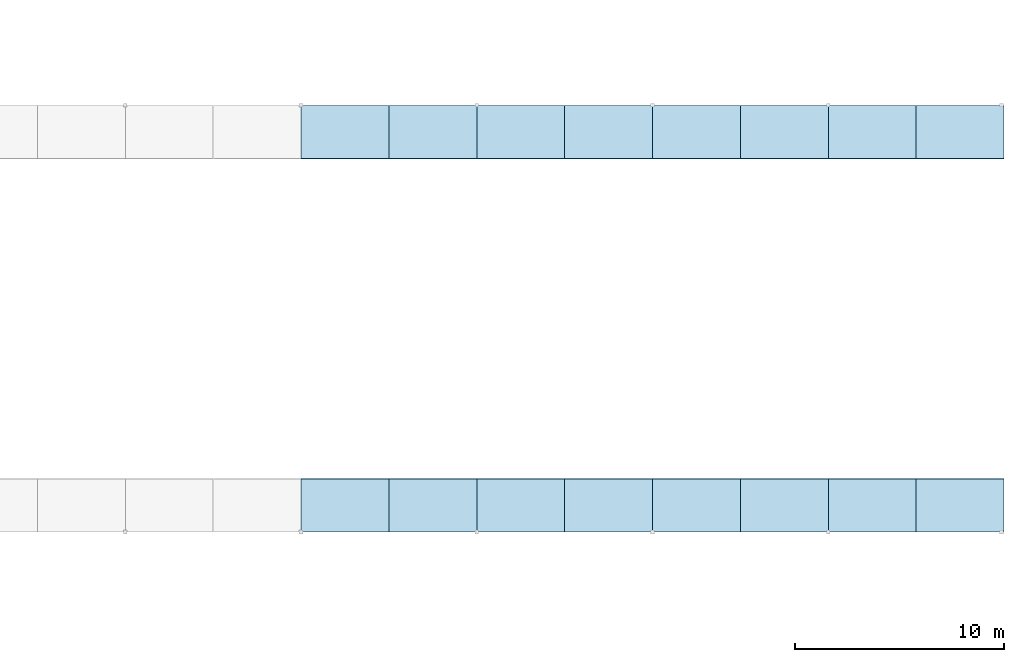
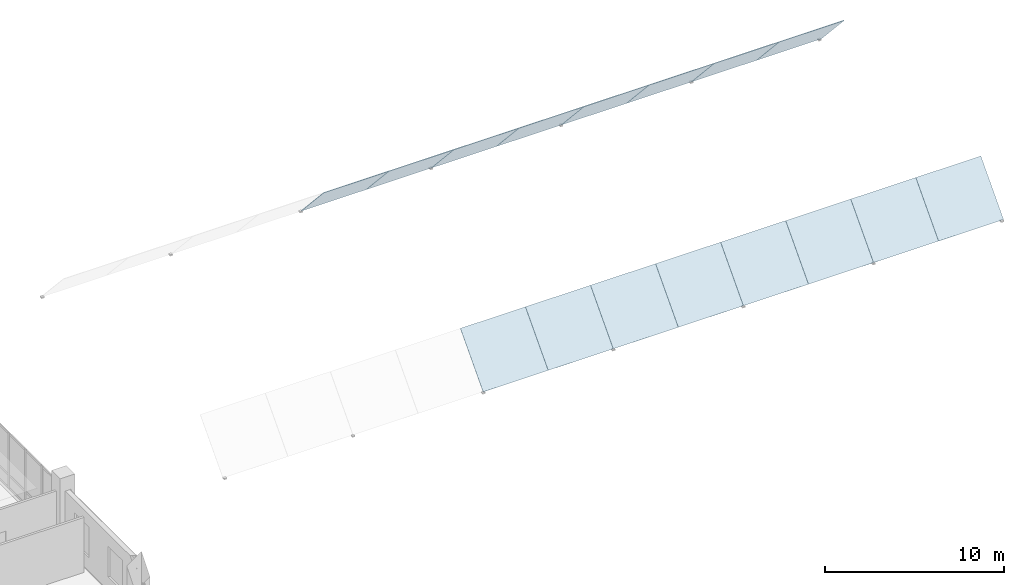
# One storey, part 47 of 122: 16 plates.
"""IFC4 building model written with IfcOpenShell, lengths in metres."""

from ifc_helpers import new_model, si_unit, direction, frame, origin, place, context, subcontext, project, spatial, polyline, outline, extrude, material, layer, layer_set, type_object, element, save


model = new_model("IFC4")

# Units and contexts
model_context = context("Model", 3, precision=1e-05, world=origin(), true_north=direction((0.0, 1.0)))
body_context = subcontext(model_context, "Body", "Model", "MODEL_VIEW")
ifc_project = project(units=[si_unit("LENGTHUNIT", "METRE"), si_unit("AREAUNIT", "SQUARE_METRE"), si_unit("VOLUMEUNIT", "CUBIC_METRE"), si_unit("PLANEANGLEUNIT", "RADIAN"), si_unit("MASSUNIT", "GRAM", prefix="KILO")], contexts=[model_context])

# Site, building, storey
site_placement = place(None, origin())
site = spatial("IfcSite", under=ifc_project, at=site_placement, CompositionType="ELEMENT")
building_placement = place(site_placement, origin())
building = spatial("IfcBuilding", under=site, at=building_placement, Name="Telukmera Botanical Conservatory", CompositionType="ELEMENT")
storey_placement = place(building_placement, frame((0.0, 0.0, 10.199951171875)))
storey = spatial("IfcBuildingStorey", under=building, at=storey_placement, Name="L02", CompositionType="ELEMENT", Elevation=10.199951171875)

# Plates
ifc_material = material(Name="Low-iron laminated conservatory glass", Category="glass")
ifc_layer = layer(ifc_material, 0.031982421875)
ifc_layer_set = layer_set([ifc_layer], Name="Low-iron laminated conservatory glass")
plate_type = type_object("IfcPlateType", Name="Conservatory Gridshell Laminated Skylight Facet 32", PredefinedType="USERDEFINED", material=ifc_layer_set)
plate_1_placement = place(storey_placement, frame((134.402099609375, 22.701904296875, 3.45458984375), z_axis=(0.0, -0.739329180313, 0.673344163959), x_axis=(1.0, 0.0, 0.0)))
element("IfcPlate", 1, at=plate_1_placement, inside=storey, type_object=plate_type, Name="Conservatory Gridshell Glass Facet 05-03", ObjectType="SKYLIGHT_PANEL", PredefinedType="USERDEFINED", context=body_context, shape_type="SweptSolid", body=[
    extrude(outline(polyline([(0.0, 0.0), (4.19580078125, 0.0), (4.19580078125, 3.78133904533522), (0.0, 3.78133904533522), (0.0, 0.0)])), origin(), (0.0, 0.0, -1.0), 0.031982421875),
])
plate_2_placement = place(storey_placement, frame((134.402099609375, 40.552001953125, 6.250244140625), z_axis=(0.0, 0.739361322608, 0.673308870156), x_axis=(1.0, 0.0, 0.0)))
element("IfcPlate", 2, at=plate_2_placement, inside=storey, type_object=plate_type, Name="Conservatory Gridshell Glass Facet 05-10", ObjectType="SKYLIGHT_PANEL", PredefinedType="USERDEFINED", context=body_context, shape_type="SweptSolid", body=[
    extrude(outline(polyline([(0.0, 0.0), (4.19580078125, 0.0), (4.19580078125, 3.7811746589784225), (0.0, 3.7811746589784225), (0.0, 0.0)])), origin(), (0.0, 0.0, -1.0), 0.031982421875),
])
plate_3_placement = place(storey_placement, frame((138.60205078125, 22.701904296875, 3.45458984375), z_axis=(0.0, -0.739329180313, 0.673344163959), x_axis=(1.0, 0.0, 0.0)))
element("IfcPlate", 3, at=plate_3_placement, inside=storey, type_object=plate_type, Name="Conservatory Gridshell Glass Facet 06-03", ObjectType="SKYLIGHT_PANEL", PredefinedType="USERDEFINED", context=body_context, shape_type="SweptSolid", body=[
    extrude(outline(polyline([(0.0, 0.0), (4.196044921875, 0.0), (4.196044921875, 3.78133904533522), (0.0, 3.78133904533522), (0.0, 0.0)])), origin(), (0.0, 0.0, -1.0), 0.031982421875),
])
plate_4_placement = place(storey_placement, frame((138.60205078125, 40.552001953125, 6.250244140625), z_axis=(0.0, 0.739361322608, 0.673308870156), x_axis=(1.0, 0.0, 0.0)))
element("IfcPlate", 4, at=plate_4_placement, inside=storey, type_object=plate_type, Name="Conservatory Gridshell Glass Facet 06-10", ObjectType="SKYLIGHT_PANEL", PredefinedType="USERDEFINED", context=body_context, shape_type="SweptSolid", body=[
    extrude(outline(polyline([(0.0, 0.0), (4.196044921875, 0.0), (4.196044921875, 3.7811746589784225), (0.0, 3.7811746589784225), (0.0, 0.0)])), origin(), (0.0, 0.0, -1.0), 0.031982421875),
])
plate_5_placement = place(storey_placement, frame((142.802001953125, 22.701904296875, 3.45458984375), z_axis=(0.0, -0.739329180313, 0.673344163959), x_axis=(1.0, 0.0, 0.0)))
element("IfcPlate", 5, at=plate_5_placement, inside=storey, type_object=plate_type, Name="Conservatory Gridshell Glass Facet 07-03", ObjectType="SKYLIGHT_PANEL", PredefinedType="USERDEFINED", context=body_context, shape_type="SweptSolid", body=[
    extrude(outline(polyline([(0.0, 0.0), (4.196044921875, 0.0), (4.196044921875, 3.78133904533522), (0.0, 3.78133904533522), (0.0, 0.0)])), origin(), (0.0, 0.0, -1.0), 0.031982421875),
])
plate_6_placement = place(storey_placement, frame((142.802001953125, 40.552001953125, 6.250244140625), z_axis=(0.0, 0.739361322608, 0.673308870156), x_axis=(1.0, 0.0, 0.0)))
element("IfcPlate", 6, at=plate_6_placement, inside=storey, type_object=plate_type, Name="Conservatory Gridshell Glass Facet 07-10", ObjectType="SKYLIGHT_PANEL", PredefinedType="USERDEFINED", context=body_context, shape_type="SweptSolid", body=[
    extrude(outline(polyline([(0.0, 0.0), (4.196044921875, 0.0), (4.196044921875, 3.7811746589784225), (0.0, 3.7811746589784225), (0.0, 0.0)])), origin(), (0.0, 0.0, -1.0), 0.031982421875),
])
plate_7_placement = place(storey_placement, frame((147.001953125, 22.701904296875, 3.45458984375), z_axis=(0.0, -0.739329180313, 0.673344163959), x_axis=(1.0, 0.0, 0.0)))
element("IfcPlate", 7, at=plate_7_placement, inside=storey, type_object=plate_type, Name="Conservatory Gridshell Glass Facet 08-03", ObjectType="SKYLIGHT_PANEL", PredefinedType="USERDEFINED", context=body_context, shape_type="SweptSolid", body=[
    extrude(outline(polyline([(0.0, 0.0), (4.196044921875, 0.0), (4.196044921875, 3.78133904533522), (0.0, 3.78133904533522), (0.0, 0.0)])), origin(), (0.0, 0.0, -1.0), 0.031982421875),
])
plate_8_placement = place(storey_placement, frame((147.001953125, 40.552001953125, 6.250244140625), z_axis=(0.0, 0.739361322608, 0.673308870156), x_axis=(1.0, 0.0, 0.0)))
element("IfcPlate", 8, at=plate_8_placement, inside=storey, type_object=plate_type, Name="Conservatory Gridshell Glass Facet 08-10", ObjectType="SKYLIGHT_PANEL", PredefinedType="USERDEFINED", context=body_context, shape_type="SweptSolid", body=[
    extrude(outline(polyline([(0.0, 0.0), (4.196044921875, 0.0), (4.196044921875, 3.7811746589784225), (0.0, 3.7811746589784225), (0.0, 0.0)])), origin(), (0.0, 0.0, -1.0), 0.031982421875),
])
plate_9_placement = place(storey_placement, frame((151.201904296875, 22.701904296875, 3.45458984375), z_axis=(0.0, -0.739329180313, 0.673344163959), x_axis=(1.0, 0.0, 0.0)))
element("IfcPlate", 9, at=plate_9_placement, inside=storey, type_object=plate_type, Name="Conservatory Gridshell Glass Facet 09-03", ObjectType="SKYLIGHT_PANEL", PredefinedType="USERDEFINED", context=body_context, shape_type="SweptSolid", body=[
    extrude(outline(polyline([(0.0, 0.0), (4.196044921875, 0.0), (4.196044921875, 3.78133904533522), (0.0, 3.78133904533522), (0.0, 0.0)])), origin(), (0.0, 0.0, -1.0), 0.031982421875),
])
plate_10_placement = place(storey_placement, frame((151.201904296875, 40.552001953125, 6.250244140625), z_axis=(0.0, 0.739361322608, 0.673308870156), x_axis=(1.0, 0.0, 0.0)))
element("IfcPlate", 10, at=plate_10_placement, inside=storey, type_object=plate_type, Name="Conservatory Gridshell Glass Facet 09-10", ObjectType="SKYLIGHT_PANEL", PredefinedType="USERDEFINED", context=body_context, shape_type="SweptSolid", body=[
    extrude(outline(polyline([(0.0, 0.0), (4.196044921875, 0.0), (4.196044921875, 3.7811746589784225), (0.0, 3.7811746589784225), (0.0, 0.0)])), origin(), (0.0, 0.0, -1.0), 0.031982421875),
])
plate_11_placement = place(storey_placement, frame((155.402099609375, 22.701904296875, 3.45458984375), z_axis=(0.0, -0.739329180313, 0.673344163959), x_axis=(1.0, 0.0, 0.0)))
element("IfcPlate", 11, at=plate_11_placement, inside=storey, type_object=plate_type, Name="Conservatory Gridshell Glass Facet 10-03", ObjectType="SKYLIGHT_PANEL", PredefinedType="USERDEFINED", context=body_context, shape_type="SweptSolid", body=[
    extrude(outline(polyline([(0.0, 0.0), (4.19580078125, 0.0), (4.19580078125, 3.78133904533522), (0.0, 3.78133904533522), (0.0, 0.0)])), origin(), (0.0, 0.0, -1.0), 0.031982421875),
])
plate_12_placement = place(storey_placement, frame((155.402099609375, 40.552001953125, 6.250244140625), z_axis=(0.0, 0.739361322608, 0.673308870156), x_axis=(1.0, 0.0, 0.0)))
element("IfcPlate", 12, at=plate_12_placement, inside=storey, type_object=plate_type, Name="Conservatory Gridshell Glass Facet 10-10", ObjectType="SKYLIGHT_PANEL", PredefinedType="USERDEFINED", context=body_context, shape_type="SweptSolid", body=[
    extrude(outline(polyline([(0.0, 0.0), (4.19580078125, 0.0), (4.19580078125, 3.7811746589784225), (0.0, 3.7811746589784225), (0.0, 0.0)])), origin(), (0.0, 0.0, -1.0), 0.031982421875),
])
plate_13_placement = place(storey_placement, frame((159.60205078125, 22.701904296875, 3.45458984375), z_axis=(0.0, -0.739329180313, 0.673344163959), x_axis=(1.0, 0.0, 0.0)))
element("IfcPlate", 13, at=plate_13_placement, inside=storey, type_object=plate_type, Name="Conservatory Gridshell Glass Facet 11-03", ObjectType="SKYLIGHT_PANEL", PredefinedType="USERDEFINED", context=body_context, shape_type="SweptSolid", body=[
    extrude(outline(polyline([(0.0, 0.0), (4.196044921875, 0.0), (4.196044921875, 3.78133904533522), (0.0, 3.78133904533522), (0.0, 0.0)])), origin(), (0.0, 0.0, -1.0), 0.031982421875),
])
plate_14_placement = place(storey_placement, frame((159.60205078125, 40.552001953125, 6.250244140625), z_axis=(0.0, 0.739361322608, 0.673308870156), x_axis=(1.0, 0.0, 0.0)))
element("IfcPlate", 14, at=plate_14_placement, inside=storey, type_object=plate_type, Name="Conservatory Gridshell Glass Facet 11-10", ObjectType="SKYLIGHT_PANEL", PredefinedType="USERDEFINED", context=body_context, shape_type="SweptSolid", body=[
    extrude(outline(polyline([(0.0, 0.0), (4.196044921875, 0.0), (4.196044921875, 3.7811746589784225), (0.0, 3.7811746589784225), (0.0, 0.0)])), origin(), (0.0, 0.0, -1.0), 0.031982421875),
])
plate_15_placement = place(storey_placement, frame((163.802001953125, 22.701904296875, 3.45458984375), z_axis=(0.0, -0.739329180313, 0.673344163959), x_axis=(1.0, 0.0, 0.0)))
element("IfcPlate", 15, at=plate_15_placement, inside=storey, type_object=plate_type, Name="Conservatory Gridshell Glass Facet 12-03", ObjectType="SKYLIGHT_PANEL", PredefinedType="USERDEFINED", context=body_context, shape_type="SweptSolid", body=[
    extrude(outline(polyline([(0.0, 0.0), (4.196044921875, 0.0), (4.196044921875, 3.78133904533522), (0.0, 3.78133904533522), (0.0, 0.0)])), origin(), (0.0, 0.0, -1.0), 0.031982421875),
])
plate_16_placement = place(storey_placement, frame((163.802001953125, 40.552001953125, 6.250244140625), z_axis=(0.0, 0.739361322608, 0.673308870156), x_axis=(1.0, 0.0, 0.0)))
element("IfcPlate", 16, at=plate_16_placement, inside=storey, type_object=plate_type, Name="Conservatory Gridshell Glass Facet 12-10", ObjectType="SKYLIGHT_PANEL", PredefinedType="USERDEFINED", context=body_context, shape_type="SweptSolid", body=[
    extrude(outline(polyline([(0.0, 0.0), (4.196044921875, 0.0), (4.196044921875, 3.7811746589784225), (0.0, 3.7811746589784225), (0.0, 0.0)])), origin(), (0.0, 0.0, -1.0), 0.031982421875),
])

save(model, "model.ifc")
